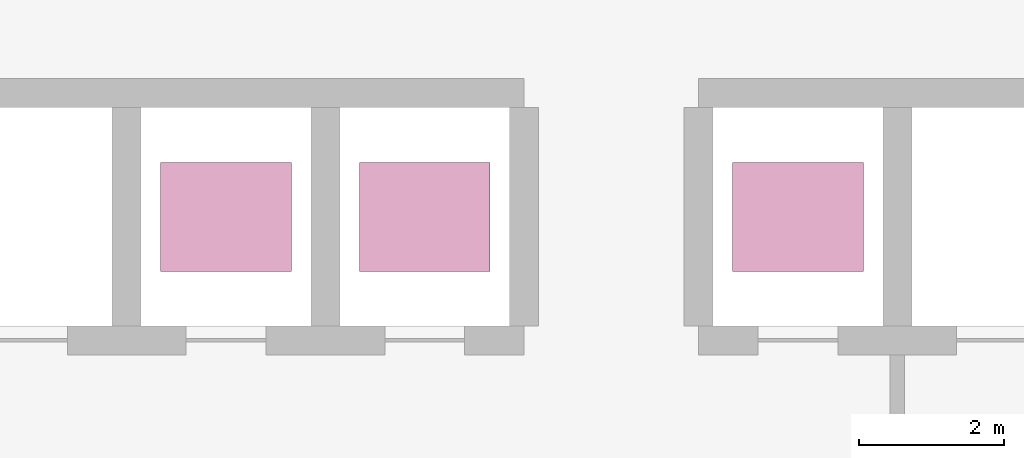
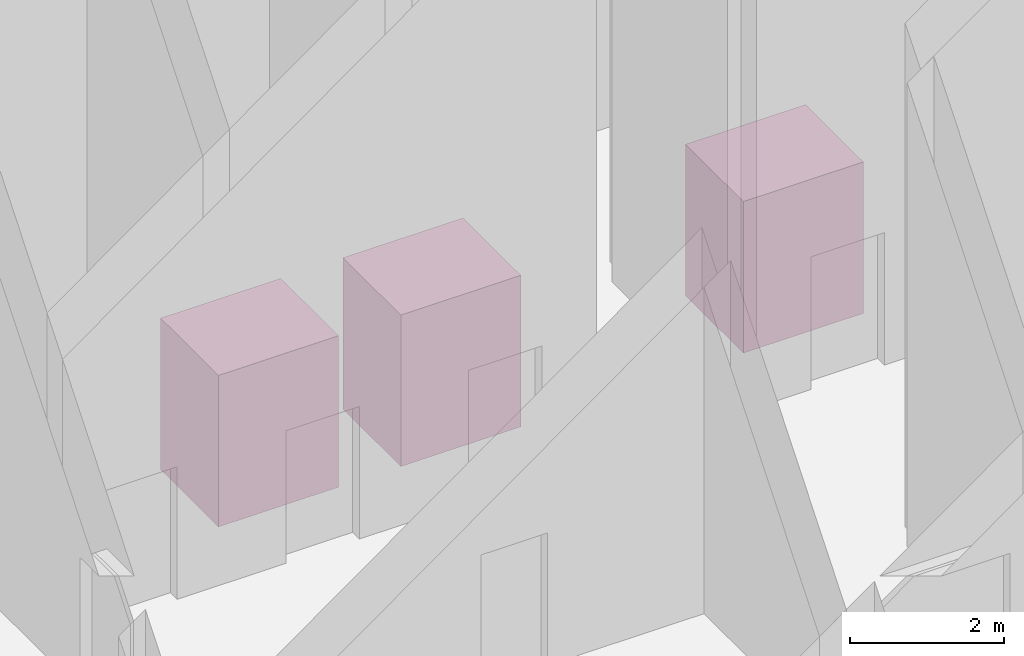
# One storey, part 15 of 15: 3 transport elements.
"""IFC4 building model written with IfcOpenShell, lengths in metres."""

from ifc_helpers import new_model, si_unit, direction, frame, origin, origin_2d, place, context, subcontext, project, spatial, rectangle, extrude, material, type_object, element, save


model = new_model("IFC4")

# Units and contexts
model_context = context("Model", 3, precision=1e-05, world=origin(), true_north=direction((0.0, 1.0)))
body_context = subcontext(model_context, "Body", "Model", "MODEL_VIEW")
ifc_project = project(units=[si_unit("LENGTHUNIT", "METRE"), si_unit("AREAUNIT", "SQUARE_METRE"), si_unit("VOLUMEUNIT", "CUBIC_METRE"), si_unit("PLANEANGLEUNIT", "RADIAN"), si_unit("MASSUNIT", "GRAM", prefix="KILO")], contexts=[model_context])

# Site, building, storey
site_placement = place(None, origin())
site = spatial("IfcSite", under=ifc_project, at=site_placement, CompositionType="ELEMENT")
building_placement = place(site_placement, origin())
building = spatial("IfcBuilding", under=site, at=building_placement, Name="Vidyagriha Tower", CompositionType="ELEMENT")
storey_placement = place(building_placement, frame((0.0, 0.0, 239.60009765625)))
storey = spatial("IfcBuildingStorey", under=building, at=storey_placement, Name="L63", CompositionType="ELEMENT", Elevation=239.60009765625)

# Transport elements
ifc_material = material(Name="Stainless steel lift car", Category="steel")
transport_element_type = type_object("IfcTransportElementType", Name="Lift car high-rise 1800 x 1500 mm", PredefinedType="ELEVATOR", material=ifc_material)
for number, where, name in (
    (1, (-5.300048828125, 12.0, 0.0), "Lift HR1"),
    (2, (-2.566650390625, 12.0, 0.0), "Lift HR2"),
    (3, (2.566650390625, 12.0, 0.0), "Lift HR3"),
):
    element("IfcTransportElement", number, at=place(storey_placement, frame(where)), inside=storey, type_object=transport_element_type, Name=name, PredefinedType="ELEVATOR", context=body_context, shape_type="SweptSolid", body=[
        extrude(rectangle(XDim=1.800048828125, YDim=1.5, at=origin_2d()), origin(), (0.0, 0.0, 1.0), 2.39990234375),
    ])

save(model, "model.ifc")
